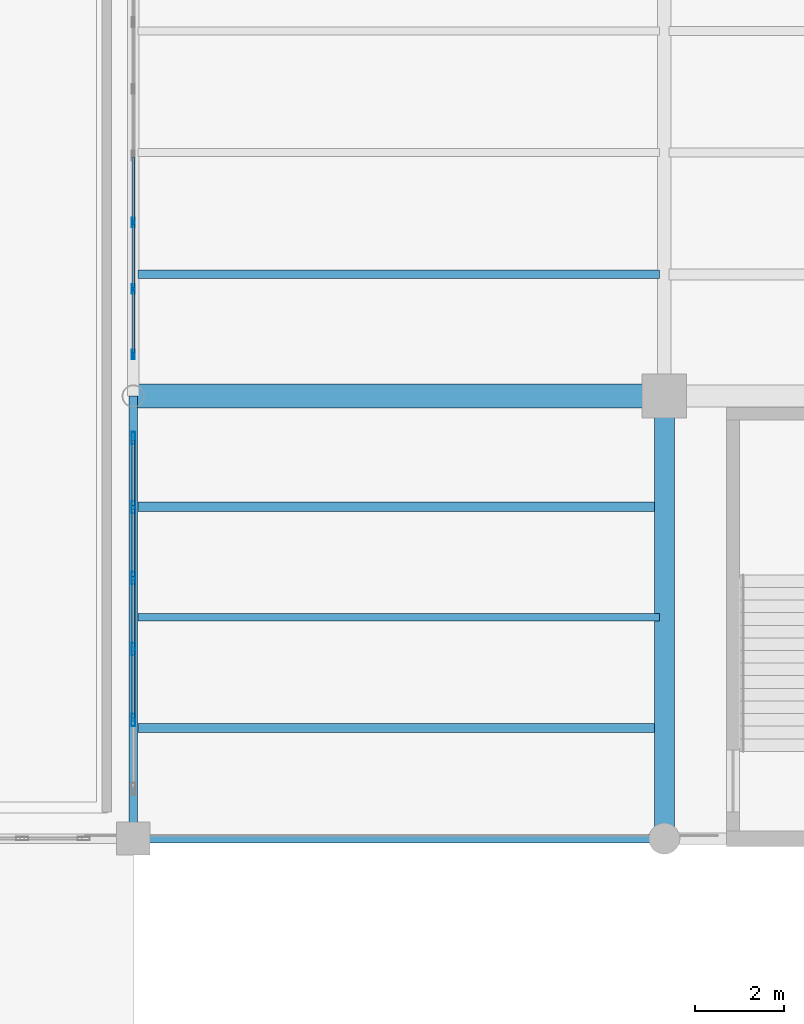
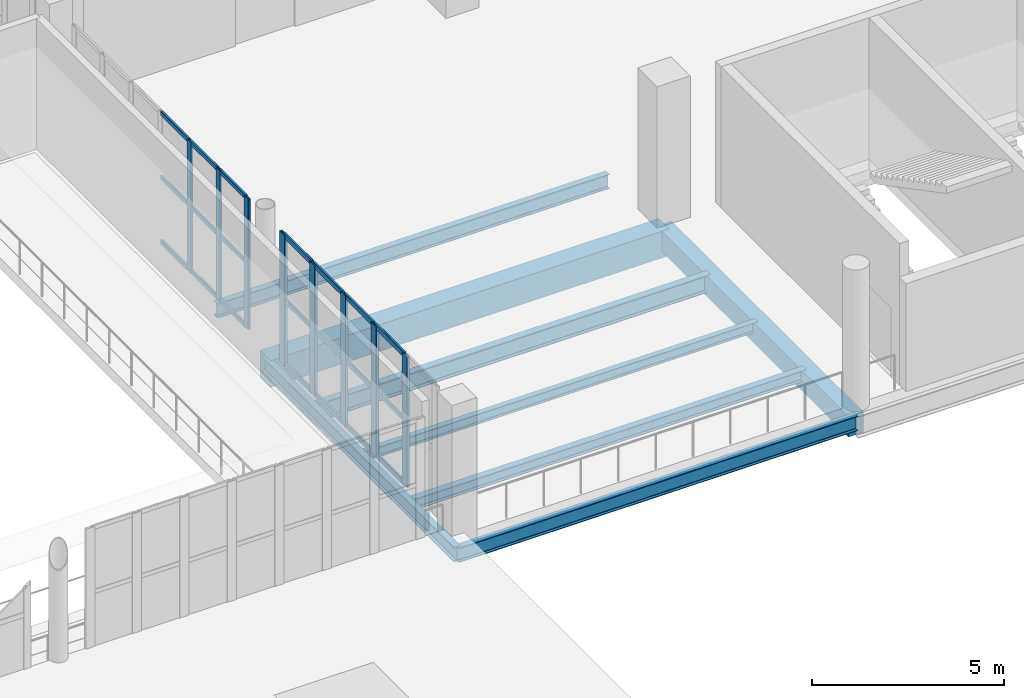
# One storey, part 14 of 108: 29 members, 8 beams, 2 elements without a shape of their own.
"""IFC4 building model written with IfcOpenShell, lengths in metres."""

import ifcopenshell
import ifcopenshell.guid

model = None  # the IFC model being written
_history = None  # IfcOwnerHistory: only IFC2X3 demands one
_inside = {}  # id of a spatial element -> (the spatial element, [elements in it])
_under = {}  # id of a project, library or spatial element -> (it, [spatial elements below it])
_declared = {}  # id of a project -> (the project, [libraries it declares])
_typed = {}  # id of a type object -> (the type object, [elements of that type])
_made_of = {}  # id of a material, layer set ... -> (it, [elements and type objects made of it])


def new_model(schema):
    """Start an empty IFC model of exactly this schema.

    Asked for "IFC4X3", IfcOpenShell would pick the latest addendum, in which some entities
    have other attributes; the version numbers below select the first issue.
    IFC2X3 requires an IfcOwnerHistory on every rooted entity: one is made here for all.
    """
    global model, _history
    if schema == "IFC4X3":
        model = ifcopenshell.file(schema_version=(4, 3, 0, 0))
    else:
        model = ifcopenshell.file(schema=schema)
    _inside.clear()
    _under.clear()
    _declared.clear()
    _typed.clear()
    _made_of.clear()
    _history = None
    if model.schema == "IFC2X3":
        org = make("IfcOrganization", Name="unknown")
        user = make(
            "IfcPersonAndOrganization",
            ThePerson=make("IfcPerson", FamilyName="unknown"),
            TheOrganization=org,
        )
        app = make(
            "IfcApplication",
            ApplicationDeveloper=org,
            Version="unknown",
            ApplicationFullName="unknown",
            ApplicationIdentifier="unknown",
        )
        _history = make(
            "IfcOwnerHistory",
            OwningUser=user,
            OwningApplication=app,
            ChangeAction="ADDED",
            CreationDate=0,
        )
    return model


def make(cls, **values):
    """One entity of the class cls with the attributes given. An attribute that is None is left unset."""
    return model.create_entity(
        cls, **{name: value for name, value in values.items() if value is not None}
    )


def rooted(cls, **values):
    """An entity with a GlobalId (a new one), such as an element, a storey or a relation."""
    return make(cls, GlobalId=ifcopenshell.guid.new(), OwnerHistory=_history, **values)


def si_unit(unit_type, name, prefix=None):
    """IfcSIUnit, for example si_unit("LENGTHUNIT", "METRE", prefix="MILLI")."""
    return make("IfcSIUnit", UnitType=unit_type, Prefix=prefix, Name=name)


def assignment(units):
    """IfcUnitAssignment: the units of a project."""
    return None if units is None else make("IfcUnitAssignment", Units=units)


def point(xyz):
    """IfcCartesianPoint."""
    return None if xyz is None else make("IfcCartesianPoint", Coordinates=xyz)


def direction(xyz):
    """IfcDirection."""
    return None if xyz is None else make("IfcDirection", DirectionRatios=xyz)


def frame(location, z_axis=None, x_axis=None):
    """IfcAxis2Placement3D, a coordinate frame: its origin and axes. An axis left out is left unset."""
    return make(
        "IfcAxis2Placement3D",
        Location=point(location),
        Axis=direction(z_axis),
        RefDirection=direction(x_axis),
    )


def frame_2d(location, x_axis=None):
    """IfcAxis2Placement2D, a coordinate frame in the plane: its origin and x axis."""
    return make(
        "IfcAxis2Placement2D", Location=point(location), RefDirection=direction(x_axis)
    )


def origin():
    """The frame at (0, 0, 0) with its axes left unset."""
    return frame((0.0, 0.0, 0.0))


def origin_2d():
    """The frame at (0, 0) in the plane with its x axis left unset."""
    return frame_2d((0.0, 0.0))


def place(relative_to, where):
    """IfcLocalPlacement: puts the frame where relative to a parent placement (None: the world)."""
    return make(
        "IfcLocalPlacement", PlacementRelTo=relative_to, RelativePlacement=where
    )


def context(
    kind, dimensions, precision=None, world=None, true_north=None, identifier=None
):
    """IfcGeometricRepresentationContext, for example the 3D "Model" context."""
    return make(
        "IfcGeometricRepresentationContext",
        ContextIdentifier=identifier,
        ContextType=kind,
        CoordinateSpaceDimension=dimensions,
        Precision=precision,
        WorldCoordinateSystem=world,
        TrueNorth=true_north,
    )


def subcontext(parent, identifier, kind, view, scale=None):
    """IfcGeometricRepresentationSubContext, for example "Body" below "Model"."""
    return make(
        "IfcGeometricRepresentationSubContext",
        ContextIdentifier=identifier,
        ContextType=kind,
        ParentContext=parent,
        TargetScale=scale,
        TargetView=view,
    )


def project(units=None, contexts=None):
    """IfcProject with its units and contexts."""
    return rooted(
        "IfcProject",
        Name="project",
        RepresentationContexts=contexts,
        UnitsInContext=assignment(units),
    )


def spatial(cls, under=None, at=None, **own):
    """A site, building, storey or space (cls), placed at a placement, below another one or the project."""
    s = rooted(cls, ObjectPlacement=at, **own)
    if under is not None:
        _under.setdefault(under.id(), (under, []))[1].append(s)
    return s


def profile(cls, at=None, kind="AREA", **sizes):
    """A parametric profile (cls). Its sizes go by their IFC names, for example OverallWidth=200.0."""
    return make(cls, ProfileType=kind, Position=at, **sizes)


def rectangle(**sizes):
    """IfcRectangleProfileDef."""
    return profile("IfcRectangleProfileDef", **sizes)


def hollow_rectangle(**sizes):
    """IfcRectangleHollowProfileDef."""
    return profile("IfcRectangleHollowProfileDef", **sizes)


def i_section(**sizes):
    """IfcIShapeProfileDef."""
    return profile("IfcIShapeProfileDef", **sizes)


def extrude(swept, where, along, depth):
    """IfcExtrudedAreaSolid: the profile swept, set in the frame where, extruded along a direction by depth."""
    return make(
        "IfcExtrudedAreaSolid",
        SweptArea=swept,
        Position=where,
        ExtrudedDirection=direction(along),
        Depth=depth,
    )


def shape(context_of_items, identifier, shape_type, items):
    """IfcShapeRepresentation: the items that make up one representation, for example the "Body"."""
    return make(
        "IfcShapeRepresentation",
        ContextOfItems=context_of_items,
        RepresentationIdentifier=identifier,
        RepresentationType=shape_type,
        Items=items,
    )


def material(Name=None, Category=None):
    """IfcMaterial."""
    return make("IfcMaterial", Name=Name, Category=Category)


def layer(
    of_material, thickness, ventilated=None, Name=None, Category=None, Priority=None
):
    """IfcMaterialLayer: one layer of a wall or slab, of a material (None: an air gap)."""
    return make(
        "IfcMaterialLayer",
        Material=of_material,
        LayerThickness=thickness,
        IsVentilated=ventilated,
        Name=Name,
        Category=Category,
        Priority=Priority,
    )


def layer_set(layers, Name=None):
    """IfcMaterialLayerSet."""
    return make("IfcMaterialLayerSet", MaterialLayers=layers, LayerSetName=Name)


def material_profile(
    of_material, cross_section, Name=None, Category=None, Priority=None
):
    """IfcMaterialProfile: a cross section and its material."""
    return make(
        "IfcMaterialProfile",
        Name=Name,
        Material=of_material,
        Profile=cross_section,
        Priority=Priority,
        Category=Category,
    )


def profile_set(profiles, Name=None, composite=None):
    """IfcMaterialProfileSet."""
    return make(
        "IfcMaterialProfileSet",
        Name=Name,
        MaterialProfiles=profiles,
        CompositeProfile=composite,
    )


def made_of(thing, what):
    """Note that an element or type object is made of a material, layer set ...; save() writes the relation."""
    if what is not None:
        _made_of.setdefault(what.id(), (what, []))[1].append(thing)
    return thing


def type_object(cls, material=None, **own):
    """A type object (cls), such as IfcWallType, which elements share."""
    return made_of(rooted(cls, **own), material)


def element(
    cls,
    number,
    at=None,
    inside=None,
    cuts=None,
    type_object=None,
    material=None,
    context=None,
    identifier="Body",
    shape_type=None,
    held_by="IfcProductDefinitionShape",
    body=None,
    shapes=None,
    **own,
):
    """One element of the class cls, such as IfcWall. Its Tag is "e" and its number.

    at: its placement. inside: the storey or other place that contains it. cuts: it is an
    opening in that element (IfcRelVoidsElement). A single representation is given by context,
    identifier, shape_type and body (its items); several are given by shapes. held_by: the class
    of the entity that holds the representations. save() writes the other relations.
    """
    e = rooted(cls, Tag="e%d" % number, ObjectPlacement=at, **own)
    if body is not None:
        shapes = [shape(context, identifier, shape_type, body)]
    if shapes is not None:
        e.Representation = make(held_by, Representations=shapes)
    if inside is not None:
        _inside.setdefault(inside.id(), (inside, []))[1].append(e)
    if cuts is not None:
        rooted(
            "IfcRelVoidsElement", RelatingBuildingElement=cuts, RelatedOpeningElement=e
        )
    if type_object is not None:
        _typed.setdefault(type_object.id(), (type_object, []))[1].append(e)
    return made_of(e, material)


def aggregate(whole, parts):
    """IfcRelAggregates: a whole, such as a stair, and the parts it consists of."""
    return rooted("IfcRelAggregates", RelatingObject=whole, RelatedObjects=parts)


def save(model, path):
    """Write the relations noted so far, then the file.

    IfcRelAggregates (storeys below a building ...), IfcRelContainedInSpatialStructure (elements
    in a storey), IfcRelDefinesByType, IfcRelAssociatesMaterial and IfcRelDeclares: one each for
    every whole, place, type object, material and project.
    """
    for whole, parts in _under.values():
        aggregate(whole, parts)
    for where, things in _inside.values():
        rooted(
            "IfcRelContainedInSpatialStructure",
            RelatedElements=things,
            RelatingStructure=where,
        )
    for kind, things in _typed.values():
        rooted("IfcRelDefinesByType", RelatedObjects=things, RelatingType=kind)
    for what, things in _made_of.values():
        rooted("IfcRelAssociatesMaterial", RelatedObjects=things, RelatingMaterial=what)
    for by, libraries in _declared.values():
        rooted("IfcRelDeclares", RelatingContext=by, RelatedDefinitions=libraries)
    model.write(path)


model = new_model("IFC4")

# Units and contexts
model_context = context("Model", 3, precision=1e-05, world=origin(), true_north=direction((0.0, 1.0)))
body_context = subcontext(model_context, "Body", "Model", "MODEL_VIEW")
ifc_project = project(units=[si_unit("LENGTHUNIT", "METRE"), si_unit("AREAUNIT", "SQUARE_METRE"), si_unit("VOLUMEUNIT", "CUBIC_METRE"), si_unit("PLANEANGLEUNIT", "RADIAN"), si_unit("MASSUNIT", "GRAM", prefix="KILO")], contexts=[model_context])

# Site, building, storey
site_placement = place(None, origin())
site = spatial("IfcSite", under=ifc_project, at=site_placement, CompositionType="ELEMENT")
building_placement = place(site_placement, origin())
building = spatial("IfcBuilding", under=site, at=building_placement, Name="Brinegate Civic Arena", CompositionType="ELEMENT")
storey_placement = place(building_placement, frame((0.0, 0.0, 10.199951171875)))
storey = spatial("IfcBuildingStorey", under=building, at=storey_placement, Name="L02", CompositionType="ELEMENT", Elevation=10.199951171875)

# Curtain wall, members
ifc_material_1 = material(Name="Marine grade aluminium", Category="aluminium")
ifc_layer = layer(ifc_material_1, 0.199951171875, Name="Marine grade aluminium")
ifc_layer_set = layer_set([ifc_layer], Name="Marine grade aluminium")
curtain_wall_type = type_object("IfcCurtainWallType", Name="CW-BOWL-GLAZED-01", PredefinedType="USERDEFINED", material=ifc_layer_set)
curtain_wall_1_placement = place(storey_placement, origin())
curtain_wall_1 = element("IfcCurtainWall", 1, at=curtain_wall_1_placement, inside=storey, type_object=curtain_wall_type, Name="Curtain Wall CWA-077", ObjectType="GLAZED CURTAIN WALL", PredefinedType="USERDEFINED")
ifc_material_profile_1 = material_profile(ifc_material_1, hollow_rectangle(XDim=0.06494140625, YDim=0.219970703125, WallThickness=0.006103515625, InnerFilletRadius=0.00390625, OuterFilletRadius=0.008056640625, at=origin_2d()), Name="MUL65X220")
ifc_profile_set_1 = profile_set([ifc_material_profile_1], Name="Marine grade aluminium")
member_type_1 = type_object("IfcMemberType", Name="CW-MULLION-65X220", PredefinedType="MULLION", material=ifc_profile_set_1)
member_1_placement = place(storey_placement, frame((48.0, 20.94140625, 0.0), z_axis=(0.0, 0.0, 1.0), x_axis=(-1.0, 0.0, 0.0)))
member_1 = element("IfcMember", 2, at=member_1_placement, type_object=member_type_1, Name="CWA-077 mullion 1", PredefinedType="MULLION", context=body_context, shape_type="SweptSolid", body=[
    extrude(hollow_rectangle(XDim=0.06494140625, YDim=0.219970703125, WallThickness=0.006103515625, InnerFilletRadius=0.00390625, OuterFilletRadius=0.008056640625, at=origin_2d()), origin(), (0.0, 0.0, 1.0), 4.150146484375),
])
member_2_placement = place(storey_placement, frame((48.0, 22.416748046875, 0.0), z_axis=(0.0, 0.0, 1.0), x_axis=(-1.0, 0.0, 0.0)))
member_2 = element("IfcMember", 3, at=member_2_placement, type_object=member_type_1, Name="CWA-077 mullion 2", PredefinedType="MULLION", context=body_context, shape_type="SweptSolid", body=[
    extrude(hollow_rectangle(XDim=0.06494140625, YDim=0.219970703125, WallThickness=0.006103515625, InnerFilletRadius=0.00390625, OuterFilletRadius=0.008056640625, at=origin_2d()), origin(), (0.0, 0.0, 1.0), 4.150146484375),
])
member_3_placement = place(storey_placement, frame((48.0, 23.92431640625, 0.0), z_axis=(0.0, 0.0, 1.0), x_axis=(-1.0, 0.0, 0.0)))
member_3 = element("IfcMember", 4, at=member_3_placement, type_object=member_type_1, Name="CWA-077 mullion 3", PredefinedType="MULLION", context=body_context, shape_type="SweptSolid", body=[
    extrude(hollow_rectangle(XDim=0.06494140625, YDim=0.219970703125, WallThickness=0.006103515625, InnerFilletRadius=0.00390625, OuterFilletRadius=0.008056640625, at=origin_2d()), origin(), (0.0, 0.0, 1.0), 4.150146484375),
])

curtain_wall_2_placement = place(storey_placement, origin())
curtain_wall_2 = element("IfcCurtainWall", 5, at=curtain_wall_2_placement, inside=storey, type_object=curtain_wall_type, Name="Curtain Wall CWA-075", ObjectType="GLAZED CURTAIN WALL", PredefinedType="USERDEFINED")
ifc_material_profile_2 = material_profile(ifc_material_1, hollow_rectangle(XDim=0.080078125, YDim=0.280029296875, WallThickness=0.007080078125, InnerFilletRadius=0.0048828125, OuterFilletRadius=0.010009765625, at=origin_2d()), Name="MUL80X280")
ifc_profile_set_2 = profile_set([ifc_material_profile_2], Name="Marine grade aluminium")
member_type_2 = type_object("IfcMemberType", Name="CW-MULLION-80X280", PredefinedType="MULLION", material=ifc_profile_set_2)
member_4_placement = place(storey_placement, frame((48.0, 12.68212890625, 0.0), z_axis=(0.0, 0.0, 1.0), x_axis=(-1.0, 0.0, 0.0)))
member_4 = element("IfcMember", 6, at=member_4_placement, type_object=member_type_2, Name="CWA-075 mullion 2", PredefinedType="MULLION", context=body_context, shape_type="SweptSolid", body=[
    extrude(hollow_rectangle(XDim=0.080078125, YDim=0.280029296875, WallThickness=0.007080078125, InnerFilletRadius=0.0048828125, OuterFilletRadius=0.010009765625, at=origin_2d()), origin(), (0.0, 0.0, 1.0), 4.150146484375),
])
member_5_placement = place(storey_placement, frame((48.0, 14.284423828125, 0.0), z_axis=(0.0, 0.0, 1.0), x_axis=(-1.0, 0.0, 0.0)))
member_5 = element("IfcMember", 7, at=member_5_placement, type_object=member_type_2, Name="CWA-075 mullion 3", PredefinedType="MULLION", context=body_context, shape_type="SweptSolid", body=[
    extrude(hollow_rectangle(XDim=0.080078125, YDim=0.280029296875, WallThickness=0.007080078125, InnerFilletRadius=0.0048828125, OuterFilletRadius=0.010009765625, at=origin_2d()), origin(), (0.0, 0.0, 1.0), 4.150146484375),
])
member_6_placement = place(storey_placement, frame((48.0, 15.88671875, 0.0), z_axis=(0.0, 0.0, 1.0), x_axis=(-1.0, 0.0, 0.0)))
member_6 = element("IfcMember", 8, at=member_6_placement, type_object=member_type_2, Name="CWA-075 mullion 4", PredefinedType="MULLION", context=body_context, shape_type="SweptSolid", body=[
    extrude(hollow_rectangle(XDim=0.080078125, YDim=0.280029296875, WallThickness=0.007080078125, InnerFilletRadius=0.0048828125, OuterFilletRadius=0.010009765625, at=origin_2d()), origin(), (0.0, 0.0, 1.0), 4.150146484375),
])
member_7_placement = place(storey_placement, frame((48.0, 17.48876953125, 0.0), z_axis=(0.0, 0.0, 1.0), x_axis=(-1.0, 0.0, 0.0)))
member_7 = element("IfcMember", 9, at=member_7_placement, type_object=member_type_2, Name="CWA-075 mullion 5", PredefinedType="MULLION", context=body_context, shape_type="SweptSolid", body=[
    extrude(hollow_rectangle(XDim=0.080078125, YDim=0.280029296875, WallThickness=0.007080078125, InnerFilletRadius=0.0048828125, OuterFilletRadius=0.010009765625, at=origin_2d()), origin(), (0.0, 0.0, 1.0), 4.150146484375),
])
member_8_placement = place(storey_placement, frame((48.0, 19.051025390625, 0.0), z_axis=(0.0, 0.0, 1.0), x_axis=(-1.0, 0.0, 0.0)))
member_8 = element("IfcMember", 10, at=member_8_placement, type_object=member_type_2, Name="CWA-075 mullion 6", PredefinedType="MULLION", context=body_context, shape_type="SweptSolid", body=[
    extrude(hollow_rectangle(XDim=0.080078125, YDim=0.280029296875, WallThickness=0.007080078125, InnerFilletRadius=0.0048828125, OuterFilletRadius=0.010009765625, at=origin_2d()), origin(), (0.0, 0.0, 1.0), 4.150146484375),
])

# Member
ifc_material_profile_3 = material_profile(ifc_material_1, hollow_rectangle(XDim=0.06494140625, YDim=0.139892578125, WallThickness=0.0048828125, InnerFilletRadius=0.00390625, OuterFilletRadius=0.008056640625, at=origin_2d()), Name="TRN65X140")
ifc_profile_set_3 = profile_set([ifc_material_profile_3], Name="Marine grade aluminium")
member_type_3 = type_object("IfcMemberType", Name="CW-TRANSOM-65X140", PredefinedType="USERDEFINED", material=ifc_profile_set_3)
member_9_placement = place(storey_placement, frame((48.0, 20.97412109375, 0.032470703125), z_axis=(0.0, 1.0, 0.0), x_axis=(-1.0, 0.0, 0.0)))
member_9 = element("IfcMember", 11, at=member_9_placement, type_object=member_type_3, Name="CWA-077 transom 1.1", ObjectType="TRANSOM", PredefinedType="USERDEFINED", context=body_context, shape_type="SweptSolid", body=[
    extrude(hollow_rectangle(XDim=0.06494140625, YDim=0.139892578125, WallThickness=0.0048828125, InnerFilletRadius=0.00390625, OuterFilletRadius=0.008056640625, at=origin_2d()), origin(), (0.0, 0.0, 1.0), 1.41015625),
])

member_10_placement = place(storey_placement, frame((48.0, 20.97412109375, 2.074951171875), z_axis=(0.0, 1.0, 0.0), x_axis=(-1.0, 0.0, 0.0)))
member_10 = element("IfcMember", 12, at=member_10_placement, type_object=member_type_3, Name="CWA-077 transom 1.2", ObjectType="TRANSOM", PredefinedType="USERDEFINED", context=body_context, shape_type="SweptSolid", body=[
    extrude(hollow_rectangle(XDim=0.06494140625, YDim=0.139892578125, WallThickness=0.0048828125, InnerFilletRadius=0.00390625, OuterFilletRadius=0.008056640625, at=origin_2d()), origin(), (0.0, 0.0, 1.0), 1.41015625),
])

member_11_placement = place(storey_placement, frame((48.0, 20.97412109375, 4.117431640625), z_axis=(0.0, 1.0, 0.0), x_axis=(-1.0, 0.0, 0.0)))
member_11 = element("IfcMember", 13, at=member_11_placement, type_object=member_type_3, Name="CWA-077 transom 1.3", ObjectType="TRANSOM", PredefinedType="USERDEFINED", context=body_context, shape_type="SweptSolid", body=[
    extrude(hollow_rectangle(XDim=0.06494140625, YDim=0.139892578125, WallThickness=0.0048828125, InnerFilletRadius=0.00390625, OuterFilletRadius=0.008056640625, at=origin_2d()), origin(), (0.0, 0.0, 1.0), 1.41015625),
])

member_12_placement = place(storey_placement, frame((48.0, 22.44921875, 0.032470703125), z_axis=(0.0, 1.0, 0.0), x_axis=(-1.0, 0.0, 0.0)))
member_12 = element("IfcMember", 14, at=member_12_placement, type_object=member_type_3, Name="CWA-077 transom 2.1", ObjectType="TRANSOM", PredefinedType="USERDEFINED", context=body_context, shape_type="SweptSolid", body=[
    extrude(hollow_rectangle(XDim=0.06494140625, YDim=0.139892578125, WallThickness=0.0048828125, InnerFilletRadius=0.00390625, OuterFilletRadius=0.008056640625, at=origin_2d()), origin(), (0.0, 0.0, 1.0), 1.442626953125),
])

member_13_placement = place(storey_placement, frame((48.0, 22.44921875, 2.074951171875), z_axis=(0.0, 1.0, 0.0), x_axis=(-1.0, 0.0, 0.0)))
member_13 = element("IfcMember", 15, at=member_13_placement, type_object=member_type_3, Name="CWA-077 transom 2.2", ObjectType="TRANSOM", PredefinedType="USERDEFINED", context=body_context, shape_type="SweptSolid", body=[
    extrude(hollow_rectangle(XDim=0.06494140625, YDim=0.139892578125, WallThickness=0.0048828125, InnerFilletRadius=0.00390625, OuterFilletRadius=0.008056640625, at=origin_2d()), origin(), (0.0, 0.0, 1.0), 1.442626953125),
])

member_14_placement = place(storey_placement, frame((48.0, 22.44921875, 4.117431640625), z_axis=(0.0, 1.0, 0.0), x_axis=(-1.0, 0.0, 0.0)))
member_14 = element("IfcMember", 16, at=member_14_placement, type_object=member_type_3, Name="CWA-077 transom 2.3", ObjectType="TRANSOM", PredefinedType="USERDEFINED", context=body_context, shape_type="SweptSolid", body=[
    extrude(hollow_rectangle(XDim=0.06494140625, YDim=0.139892578125, WallThickness=0.0048828125, InnerFilletRadius=0.00390625, OuterFilletRadius=0.008056640625, at=origin_2d()), origin(), (0.0, 0.0, 1.0), 1.442626953125),
])

member_15_placement = place(storey_placement, frame((48.0, 23.956787109375, 0.032470703125), z_axis=(0.0, 1.0, 0.0), x_axis=(-1.0, 0.0, 0.0)))
member_15 = element("IfcMember", 17, at=member_15_placement, type_object=member_type_3, Name="CWA-077 transom 3.1", ObjectType="TRANSOM", PredefinedType="USERDEFINED", context=body_context, shape_type="SweptSolid", body=[
    extrude(hollow_rectangle(XDim=0.06494140625, YDim=0.139892578125, WallThickness=0.0048828125, InnerFilletRadius=0.00390625, OuterFilletRadius=0.008056640625, at=origin_2d()), origin(), (0.0, 0.0, 1.0), 1.442626953125),
])

member_16_placement = place(storey_placement, frame((48.0, 23.956787109375, 2.074951171875), z_axis=(0.0, 1.0, 0.0), x_axis=(-1.0, 0.0, 0.0)))
member_16 = element("IfcMember", 18, at=member_16_placement, type_object=member_type_3, Name="CWA-077 transom 3.2", ObjectType="TRANSOM", PredefinedType="USERDEFINED", context=body_context, shape_type="SweptSolid", body=[
    extrude(hollow_rectangle(XDim=0.06494140625, YDim=0.139892578125, WallThickness=0.0048828125, InnerFilletRadius=0.00390625, OuterFilletRadius=0.008056640625, at=origin_2d()), origin(), (0.0, 0.0, 1.0), 1.442626953125),
])

member_17_placement = place(storey_placement, frame((48.0, 23.956787109375, 4.117431640625), z_axis=(0.0, 1.0, 0.0), x_axis=(-1.0, 0.0, 0.0)))
member_17 = element("IfcMember", 19, at=member_17_placement, type_object=member_type_3, Name="CWA-077 transom 3.3", ObjectType="TRANSOM", PredefinedType="USERDEFINED", context=body_context, shape_type="SweptSolid", body=[
    extrude(hollow_rectangle(XDim=0.06494140625, YDim=0.139892578125, WallThickness=0.0048828125, InnerFilletRadius=0.00390625, OuterFilletRadius=0.008056640625, at=origin_2d()), origin(), (0.0, 0.0, 1.0), 1.442626953125),
])

aggregate(curtain_wall_1, [member_1, member_2, member_3, member_9, member_10, member_11, member_12, member_13, member_14, member_15, member_16, member_17])

ifc_material_profile_4 = material_profile(ifc_material_1, hollow_rectangle(XDim=0.06494140625, YDim=0.1650390625, WallThickness=0.0048828125, InnerFilletRadius=0.00390625, OuterFilletRadius=0.008056640625, at=origin_2d()), Name="TRN65X165")
ifc_profile_set_4 = profile_set([ifc_material_profile_4], Name="Marine grade aluminium")
member_type_4 = type_object("IfcMemberType", Name="CW-TRANSOM-65X165", PredefinedType="USERDEFINED", material=ifc_profile_set_4)
member_18_placement = place(storey_placement, frame((48.0, 12.72216796875, 0.032470703125), z_axis=(0.0, 1.0, 0.0), x_axis=(-1.0, 0.0, 0.0)))
member_18 = element("IfcMember", 20, at=member_18_placement, type_object=member_type_4, Name="CWA-075 transom 2.1", ObjectType="TRANSOM", PredefinedType="USERDEFINED", context=body_context, shape_type="SweptSolid", body=[
    extrude(hollow_rectangle(XDim=0.06494140625, YDim=0.1650390625, WallThickness=0.0048828125, InnerFilletRadius=0.00390625, OuterFilletRadius=0.008056640625, at=origin_2d()), origin(), (0.0, 0.0, 1.0), 1.522216796875),
])

member_19_placement = place(storey_placement, frame((48.0, 12.72216796875, 2.074951171875), z_axis=(0.0, 1.0, 0.0), x_axis=(-1.0, 0.0, 0.0)))
member_19 = element("IfcMember", 21, at=member_19_placement, type_object=member_type_4, Name="CWA-075 transom 2.2", ObjectType="TRANSOM", PredefinedType="USERDEFINED", context=body_context, shape_type="SweptSolid", body=[
    extrude(hollow_rectangle(XDim=0.06494140625, YDim=0.1650390625, WallThickness=0.0048828125, InnerFilletRadius=0.00390625, OuterFilletRadius=0.008056640625, at=origin_2d()), origin(), (0.0, 0.0, 1.0), 1.522216796875),
])

member_20_placement = place(storey_placement, frame((48.0, 12.72216796875, 4.117431640625), z_axis=(0.0, 1.0, 0.0), x_axis=(-1.0, 0.0, 0.0)))
member_20 = element("IfcMember", 22, at=member_20_placement, type_object=member_type_4, Name="CWA-075 transom 2.3", ObjectType="TRANSOM", PredefinedType="USERDEFINED", context=body_context, shape_type="SweptSolid", body=[
    extrude(hollow_rectangle(XDim=0.06494140625, YDim=0.1650390625, WallThickness=0.0048828125, InnerFilletRadius=0.00390625, OuterFilletRadius=0.008056640625, at=origin_2d()), origin(), (0.0, 0.0, 1.0), 1.522216796875),
])

member_21_placement = place(storey_placement, frame((48.0, 14.324462890625, 0.032470703125), z_axis=(0.0, 1.0, 0.0), x_axis=(-1.0, 0.0, 0.0)))
member_21 = element("IfcMember", 23, at=member_21_placement, type_object=member_type_4, Name="CWA-075 transom 3.1", ObjectType="TRANSOM", PredefinedType="USERDEFINED", context=body_context, shape_type="SweptSolid", body=[
    extrude(hollow_rectangle(XDim=0.06494140625, YDim=0.1650390625, WallThickness=0.0048828125, InnerFilletRadius=0.00390625, OuterFilletRadius=0.008056640625, at=origin_2d()), origin(), (0.0, 0.0, 1.0), 1.522216796875),
])

member_22_placement = place(storey_placement, frame((48.0, 14.324462890625, 2.074951171875), z_axis=(0.0, 1.0, 0.0), x_axis=(-1.0, 0.0, 0.0)))
member_22 = element("IfcMember", 24, at=member_22_placement, type_object=member_type_4, Name="CWA-075 transom 3.2", ObjectType="TRANSOM", PredefinedType="USERDEFINED", context=body_context, shape_type="SweptSolid", body=[
    extrude(hollow_rectangle(XDim=0.06494140625, YDim=0.1650390625, WallThickness=0.0048828125, InnerFilletRadius=0.00390625, OuterFilletRadius=0.008056640625, at=origin_2d()), origin(), (0.0, 0.0, 1.0), 1.522216796875),
])

member_23_placement = place(storey_placement, frame((48.0, 14.324462890625, 4.117431640625), z_axis=(0.0, 1.0, 0.0), x_axis=(-1.0, 0.0, 0.0)))
member_23 = element("IfcMember", 25, at=member_23_placement, type_object=member_type_4, Name="CWA-075 transom 3.3", ObjectType="TRANSOM", PredefinedType="USERDEFINED", context=body_context, shape_type="SweptSolid", body=[
    extrude(hollow_rectangle(XDim=0.06494140625, YDim=0.1650390625, WallThickness=0.0048828125, InnerFilletRadius=0.00390625, OuterFilletRadius=0.008056640625, at=origin_2d()), origin(), (0.0, 0.0, 1.0), 1.522216796875),
])

member_24_placement = place(storey_placement, frame((48.0, 15.926513671875, 0.032470703125), z_axis=(0.0, 1.0, 0.0), x_axis=(-1.0, 0.0, 0.0)))
member_24 = element("IfcMember", 26, at=member_24_placement, type_object=member_type_4, Name="CWA-075 transom 4.1", ObjectType="TRANSOM", PredefinedType="USERDEFINED", context=body_context, shape_type="SweptSolid", body=[
    extrude(hollow_rectangle(XDim=0.06494140625, YDim=0.1650390625, WallThickness=0.0048828125, InnerFilletRadius=0.00390625, OuterFilletRadius=0.008056640625, at=origin_2d()), origin(), (0.0, 0.0, 1.0), 1.522216796875),
])

member_25_placement = place(storey_placement, frame((48.0, 15.926513671875, 2.074951171875), z_axis=(0.0, 1.0, 0.0), x_axis=(-1.0, 0.0, 0.0)))
member_25 = element("IfcMember", 27, at=member_25_placement, type_object=member_type_4, Name="CWA-075 transom 4.2", ObjectType="TRANSOM", PredefinedType="USERDEFINED", context=body_context, shape_type="SweptSolid", body=[
    extrude(hollow_rectangle(XDim=0.06494140625, YDim=0.1650390625, WallThickness=0.0048828125, InnerFilletRadius=0.00390625, OuterFilletRadius=0.008056640625, at=origin_2d()), origin(), (0.0, 0.0, 1.0), 1.522216796875),
])

member_26_placement = place(storey_placement, frame((48.0, 15.926513671875, 4.117431640625), z_axis=(0.0, 1.0, 0.0), x_axis=(-1.0, 0.0, 0.0)))
member_26 = element("IfcMember", 28, at=member_26_placement, type_object=member_type_4, Name="CWA-075 transom 4.3", ObjectType="TRANSOM", PredefinedType="USERDEFINED", context=body_context, shape_type="SweptSolid", body=[
    extrude(hollow_rectangle(XDim=0.06494140625, YDim=0.1650390625, WallThickness=0.0048828125, InnerFilletRadius=0.00390625, OuterFilletRadius=0.008056640625, at=origin_2d()), origin(), (0.0, 0.0, 1.0), 1.522216796875),
])

member_27_placement = place(storey_placement, frame((48.0, 17.52880859375, 0.032470703125), z_axis=(0.0, 1.0, 0.0), x_axis=(-1.0, 0.0, 0.0)))
member_27 = element("IfcMember", 29, at=member_27_placement, type_object=member_type_4, Name="CWA-075 transom 5.1", ObjectType="TRANSOM", PredefinedType="USERDEFINED", context=body_context, shape_type="SweptSolid", body=[
    extrude(hollow_rectangle(XDim=0.06494140625, YDim=0.1650390625, WallThickness=0.0048828125, InnerFilletRadius=0.00390625, OuterFilletRadius=0.008056640625, at=origin_2d()), origin(), (0.0, 0.0, 1.0), 1.482177734375),
])

member_28_placement = place(storey_placement, frame((48.0, 17.52880859375, 2.074951171875), z_axis=(0.0, 1.0, 0.0), x_axis=(-1.0, 0.0, 0.0)))
member_28 = element("IfcMember", 30, at=member_28_placement, type_object=member_type_4, Name="CWA-075 transom 5.2", ObjectType="TRANSOM", PredefinedType="USERDEFINED", context=body_context, shape_type="SweptSolid", body=[
    extrude(hollow_rectangle(XDim=0.06494140625, YDim=0.1650390625, WallThickness=0.0048828125, InnerFilletRadius=0.00390625, OuterFilletRadius=0.008056640625, at=origin_2d()), origin(), (0.0, 0.0, 1.0), 1.482177734375),
])

member_29_placement = place(storey_placement, frame((48.0, 17.52880859375, 4.117431640625), z_axis=(0.0, 1.0, 0.0), x_axis=(-1.0, 0.0, 0.0)))
member_29 = element("IfcMember", 31, at=member_29_placement, type_object=member_type_4, Name="CWA-075 transom 5.3", ObjectType="TRANSOM", PredefinedType="USERDEFINED", context=body_context, shape_type="SweptSolid", body=[
    extrude(hollow_rectangle(XDim=0.06494140625, YDim=0.1650390625, WallThickness=0.0048828125, InnerFilletRadius=0.00390625, OuterFilletRadius=0.008056640625, at=origin_2d()), origin(), (0.0, 0.0, 1.0), 1.482177734375),
])

aggregate(curtain_wall_2, [member_4, member_5, member_6, member_7, member_8, member_18, member_19, member_20, member_21, member_22, member_23, member_24, member_25, member_26, member_27, member_28, member_29])

# Beams
ifc_material_2 = material(Name="Steel S355", Category="steel")
ifc_material_profile_5 = material_profile(ifc_material_2, i_section(OverallWidth=0.1669921875, OverallDepth=0.31689453125, WebThickness=0.008056640625, FlangeThickness=0.012939453125, FilletRadius=0.012939453125, at=origin_2d()), Name="W310X52")
ifc_profile_set_5 = profile_set([ifc_material_profile_5], Name="Steel S355")
beam_type_1 = type_object("IfcBeamType", Name="JOIST-W310X52", PredefinedType="JOIST", material=ifc_profile_set_5)
beam_1_placement = place(storey_placement, frame((48.10595703125, 15.0, -0.488037109375), z_axis=(1.0, 0.0, 0.0), x_axis=(0.0, 1.0, 0.0)))
element("IfcBeam", 32, at=beam_1_placement, inside=storey, type_object=beam_type_1, Name="Secondary Joist BM-L02-JX-04-01-2", PredefinedType="JOIST", context=body_context, shape_type="SweptSolid", body=[
    extrude(i_section(OverallWidth=0.1669921875, OverallDepth=0.31689453125, WebThickness=0.008056640625, FlangeThickness=0.012939453125, FilletRadius=0.012939453125, at=origin_2d()), origin(), (0.0, 0.0, 1.0), 11.7880859375),
])
ifc_material_profile_6 = material_profile(ifc_material_2, i_section(OverallWidth=0.202880859375, OverallDepth=0.346923828125, WebThickness=0.008056640625, FlangeThickness=0.013916015625, FilletRadius=0.013916015625, at=origin_2d()), Name="W360X64")
ifc_profile_set_6 = profile_set([ifc_material_profile_6], Name="Steel S355")
beam_type_2 = type_object("IfcBeamType", Name="JOIST-W360X64", PredefinedType="JOIST", material=ifc_profile_set_6)
beam_2_placement = place(storey_placement, frame((48.10595703125, 12.5, -0.5029296875), z_axis=(1.0, 0.0, 0.0), x_axis=(0.0, 1.0, 0.0)))
element("IfcBeam", 33, at=beam_2_placement, inside=storey, type_object=beam_type_2, Name="Secondary Joist BM-L02-JX-04-01-1", PredefinedType="JOIST", context=body_context, shape_type="SweptSolid", body=[
    extrude(i_section(OverallWidth=0.202880859375, OverallDepth=0.346923828125, WebThickness=0.008056640625, FlangeThickness=0.013916015625, FilletRadius=0.013916015625, at=origin_2d()), origin(), (0.0, 0.0, 1.0), 11.7880859375),
])
ifc_material_profile_7 = material_profile(ifc_material_2, i_section(OverallWidth=0.19091796875, OverallDepth=0.4599609375, WebThickness=0.010009765625, FlangeThickness=0.01611328125, FilletRadius=0.014892578125, at=origin_2d()), Name="W460X82")
ifc_profile_set_7 = profile_set([ifc_material_profile_7], Name="Steel S355")
beam_type_3 = type_object("IfcBeamType", Name="JOIST-W460X82", PredefinedType="JOIST", material=ifc_profile_set_7)
beam_3_placement = place(storey_placement, frame((48.10595703125, 22.75, -0.56005859375), z_axis=(1.0, 0.0, 0.0), x_axis=(0.0, 1.0, 0.0)))
element("IfcBeam", 34, at=beam_3_placement, inside=storey, type_object=beam_type_3, Name="Secondary Joist BM-L02-JX-04-02-1", PredefinedType="JOIST", context=body_context, shape_type="SweptSolid", body=[
    extrude(i_section(OverallWidth=0.19091796875, OverallDepth=0.4599609375, WebThickness=0.010009765625, FlangeThickness=0.01611328125, FilletRadius=0.014892578125, at=origin_2d()), origin(), (0.0, 0.0, 1.0), 11.7880859375),
])
ifc_material_profile_8 = material_profile(ifc_material_2, i_section(OverallWidth=0.214111328125, OverallDepth=0.549072265625, WebThickness=0.014892578125, FlangeThickness=0.02392578125, FilletRadius=0.01611328125, at=origin_2d()), Name="W530X138")
ifc_profile_set_8 = profile_set([ifc_material_profile_8], Name="Steel S355")
beam_type_4 = type_object("IfcBeamType", Name="JOIST-W530X138", PredefinedType="JOIST", material=ifc_profile_set_8)
beam_4_placement = place(storey_placement, frame((48.10595703125, 17.5, -0.60400390625), z_axis=(1.0, 0.0, 0.0), x_axis=(0.0, 1.0, 0.0)))
element("IfcBeam", 35, at=beam_4_placement, inside=storey, type_object=beam_type_4, Name="Secondary Joist BM-L02-JX-04-01-3", PredefinedType="JOIST", context=body_context, shape_type="SweptSolid", body=[
    extrude(i_section(OverallWidth=0.214111328125, OverallDepth=0.549072265625, WebThickness=0.014892578125, FlangeThickness=0.02392578125, FilletRadius=0.01611328125, at=origin_2d()), origin(), (0.0, 0.0, 1.0), 11.7880859375),
])
ifc_material_3 = material(Name="Concrete C50/60", Category="concrete")
ifc_material_profile_9 = material_profile(ifc_material_3, rectangle(XDim=0.449951171875, YDim=0.64990234375, at=origin_2d()), Name="RCB450X650")
ifc_profile_set_9 = profile_set([ifc_material_profile_9], Name="Concrete C50/60")
beam_type_5 = type_object("IfcBeamType", Name="RCG-450X650", PredefinedType="BEAM", material=ifc_profile_set_9)
beam_5_placement = place(storey_placement, frame((60.0, 10.0, -0.655029296875), z_axis=(0.0, 1.0, 0.0), x_axis=(-1.0, 0.0, 0.0)))
element("IfcBeam", 36, at=beam_5_placement, inside=storey, type_object=beam_type_5, Name="Floor Girder BM-L02-GY-05-01", PredefinedType="BEAM", context=body_context, shape_type="SweptSolid", body=[
    extrude(rectangle(XDim=0.449951171875, YDim=0.64990234375, at=origin_2d()), origin(), (0.0, 0.0, 1.0), 10.0),
])
ifc_material_profile_10 = material_profile(ifc_material_3, rectangle(XDim=0.550048828125, YDim=0.85009765625, at=origin_2d()), Name="RCB550X850")
ifc_profile_set_10 = profile_set([ifc_material_profile_10], Name="Concrete C50/60")
beam_type_6 = type_object("IfcBeamType", Name="RCG-550X850", PredefinedType="BEAM", material=ifc_profile_set_10)
beam_6_placement = place(storey_placement, frame((48.0, 20.0, -0.7548828125), z_axis=(1.0, 0.0, 0.0), x_axis=(0.0, 1.0, 0.0)))
element("IfcBeam", 37, at=beam_6_placement, inside=storey, type_object=beam_type_6, Name="Floor Girder BM-L02-GX-04-02", PredefinedType="BEAM", context=body_context, shape_type="SweptSolid", body=[
    extrude(rectangle(XDim=0.550048828125, YDim=0.85009765625, at=origin_2d()), origin(), (0.0, 0.0, 1.0), 12.0),
])
ifc_material_profile_11 = material_profile(ifc_material_2, i_section(OverallWidth=0.193115234375, OverallDepth=0.466064453125, WebThickness=0.010986328125, FlangeThickness=0.01904296875, FilletRadius=0.014892578125, at=origin_2d()), Name="W460X97")
ifc_profile_set_11 = profile_set([ifc_material_profile_11], Name="Steel S355")
beam_type_7 = type_object("IfcBeamType", Name="SPANDREL-W460X97", PredefinedType="SPANDREL", material=ifc_profile_set_11)
beam_7_placement = place(storey_placement, frame((48.0, 10.0, -0.56298828125), z_axis=(1.0, 0.0, 0.0), x_axis=(0.0, 1.0, 0.0)))
element("IfcBeam", 38, at=beam_7_placement, inside=storey, type_object=beam_type_7, Name="Floor Girder BM-L02-GX-04-01", PredefinedType="SPANDREL", context=body_context, shape_type="SweptSolid", body=[
    extrude(i_section(OverallWidth=0.193115234375, OverallDepth=0.466064453125, WebThickness=0.010986328125, FlangeThickness=0.01904296875, FilletRadius=0.014892578125, at=origin_2d()), origin(), (0.0, 0.0, 1.0), 12.0),
])
beam_8_placement = place(storey_placement, frame((48.0, 10.0, -0.56298828125), z_axis=(0.0, 1.0, 0.0), x_axis=(-1.0, 0.0, 0.0)))
element("IfcBeam", 39, at=beam_8_placement, inside=storey, type_object=beam_type_7, Name="Floor Girder BM-L02-GY-04-01", PredefinedType="SPANDREL", context=body_context, shape_type="SweptSolid", body=[
    extrude(i_section(OverallWidth=0.193115234375, OverallDepth=0.466064453125, WebThickness=0.010986328125, FlangeThickness=0.01904296875, FilletRadius=0.014892578125, at=origin_2d()), origin(), (0.0, 0.0, 1.0), 10.0),
])

save(model, "model.ifc")
